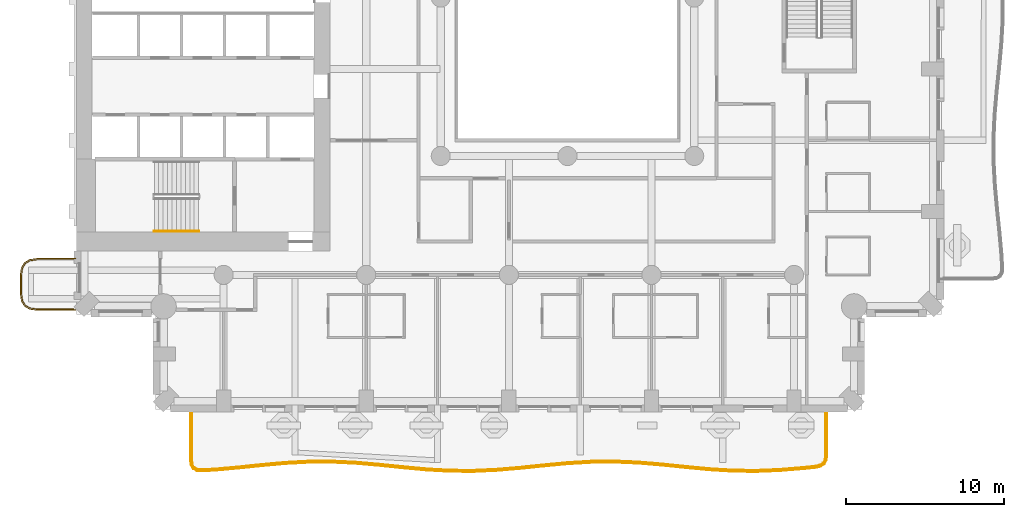
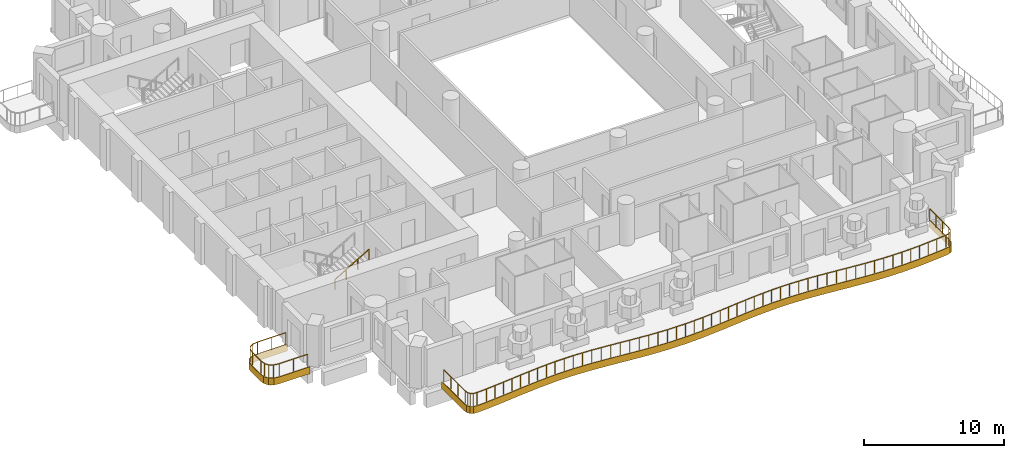
# One storey, part 13 of 20: 3 railings, 2 coverings.
"""IFC4 building model written with IfcOpenShell, lengths in metres."""

from ifc_helpers import new_model, si_unit, direction, frame, origin, origin_2d, place, context, subcontext, project, spatial, polyline, rectangle, outline, extrude, material, layer, layer_set, type_object, element, save


model = new_model("IFC4")

# Units and contexts
model_context = context("Model", 3, precision=1e-05, world=origin(), true_north=direction((0.0, 1.0)))
body_context = subcontext(model_context, "Body", "Model", "MODEL_VIEW")
ifc_project = project(units=[si_unit("LENGTHUNIT", "METRE"), si_unit("AREAUNIT", "SQUARE_METRE"), si_unit("VOLUMEUNIT", "CUBIC_METRE"), si_unit("PLANEANGLEUNIT", "RADIAN"), si_unit("MASSUNIT", "GRAM", prefix="KILO")], contexts=[model_context])

# Site, building, storey
site_placement = place(None, origin())
site = spatial("IfcSite", under=ifc_project, at=site_placement, CompositionType="ELEMENT")
building_placement = place(site_placement, origin())
building = spatial("IfcBuilding", under=site, at=building_placement, Name="Cypress Arch Tower", CompositionType="ELEMENT")
storey_placement = place(building_placement, frame((0.0, 0.0, 55.5)))
storey = spatial("IfcBuildingStorey", under=building, at=storey_placement, Name="L07", CompositionType="ELEMENT", Elevation=55.5)

# Coverings
ifc_material_1 = material(Name="White powder-coated aluminium fascia", Category="aluminium")
ifc_layer = layer(ifc_material_1, 0.050048828125)
ifc_layer_set = layer_set([ifc_layer], Name="Balcony fascia BF50")
covering_type = type_object("IfcCoveringType", Name="Balcony fascia BF50", PredefinedType="CLADDING", material=ifc_layer_set)
covering_1_placement = place(storey_placement, frame((0.0, 0.0, -0.60009765625)))
element("IfcCovering", 1, at=covering_1_placement, inside=storey, type_object=covering_type, Name="Balcony fascia L07-A00W1", PredefinedType="CLADDING", context=body_context, shape_type="SweptSolid", body=[
    extrude(outline(polyline([(-32.503662109375, -19.75), (-32.95458984375, -19.685546875), (-33.286376953125, -19.486328125), (-33.485595703125, -19.154541015625), (-33.550048828125, -18.70361328125), (-33.550048828125, -17.496337890625), (-33.485595703125, -17.04541015625), (-33.286376953125, -16.713623046875), (-32.95458984375, -16.514404296875), (-32.503662109375, -16.449951171875), (-30.0009765625, -16.449951171875), (-30.0009765625, -16.5), (-32.5, -16.5), (-32.9375, -16.5625), (-33.25, -16.75), (-33.4375, -17.0625), (-33.5, -17.5), (-33.5, -18.699951171875), (-33.4375, -19.137451171875), (-33.25, -19.449951171875), (-32.9375, -19.637451171875), (-32.5, -19.699951171875), (-30.0009765625, -19.699951171875), (-30.0009765625, -19.75), (-32.503662109375, -19.75)])), origin(), (0.0, 0.0, 1.0), 0.60009765625),
])
covering_2_placement = place(storey_placement, frame((0.0, 0.0, -0.60009765625)))
element("IfcCovering", 2, at=covering_2_placement, inside=storey, type_object=covering_type, Name="Balcony fascia L07-A03", PredefinedType="CLADDING", context=body_context, shape_type="SweptSolid", body=[
    extrude(outline(polyline([(17.39990234375, -28.89501953125), (17.3564453125, -29.2060546875), (17.220947265625, -29.447021484375), (16.9951171875, -29.606201171875), (16.690185546875, -29.681396484375), (15.869384765625, -29.765625), (14.382568359375, -29.8876953125), (12.89501953125, -29.947265625), (11.407470703125, -29.928466796875), (9.920166015625, -29.83642578125), (8.43408203125, -29.695556640625), (6.948974609375, -29.542724609375), (5.46533203125, -29.41796875), (3.982421875, -29.354248046875), (2.499755859375, -29.3681640625), (1.016845703125, -29.4560546875), (-0.46728515625, -29.5947265625), (-1.95263671875, -29.748291015625), (-3.439208984375, -29.875732421875), (-4.9267578125, -29.944091796875), (-6.41455078125, -29.934814453125), (-7.90185546875, -29.850830078125), (-9.38818359375, -29.7138671875), (-10.873291015625, -29.560302734375), (-12.357177734375, -29.43017578125), (-13.840087890625, -29.35791015625), (-15.32275390625, -29.3623046875), (-16.8056640625, -29.442138671875), (-18.28955078125, -29.57666015625), (-19.77490234375, -29.73046875), (-21.26123046875, -29.863037109375), (-22.082763671875, -29.905517578125), (-22.388916015625, -29.87744140625), (-22.618408203125, -29.75146484375), (-22.75634765625, -29.528564453125), (-22.800048828125, -29.22412109375), (-22.800048828125, -26.0009765625), (-22.75, -26.0009765625), (-22.75, -29.220458984375), (-22.708251953125, -29.51123046875), (-22.5830078125, -29.7138671875), (-22.3740234375, -29.82861328125), (-22.081787109375, -29.855224609375), (-21.264892578125, -29.813232421875), (-19.779541015625, -29.6806640625), (-18.29443359375, -29.52685546875), (-16.809326171875, -29.392333984375), (-15.323974609375, -29.312255859375), (-13.8388671875, -29.307861328125), (-12.353759765625, -29.38037109375), (-10.868408203125, -29.510498046875), (-9.38330078125, -29.6640625), (-7.898193359375, -29.80078125), (-6.412841796875, -29.885009765625), (-4.927734375, -29.89404296875), (-3.442626953125, -29.825927734375), (-1.95751953125, -29.698486328125), (-0.47216796875, -29.544921875), (1.012939453125, -29.406005859375), (2.498046875, -29.318115234375), (3.9833984375, -29.30419921875), (5.468505859375, -29.3681640625), (6.95361328125, -29.492919921875), (8.43896484375, -29.645751953125), (9.924072265625, -29.78662109375), (11.4091796875, -29.87841796875), (12.89453125, -29.897216796875), (14.379638671875, -29.837646484375), (15.86474609375, -29.7158203125), (16.681640625, -29.632080078125), (16.97412109375, -29.56005859375), (17.182861328125, -29.41259765625), (17.308349609375, -29.189697265625), (17.35009765625, -28.8916015625), (17.35009765625, -26.0009765625), (17.39990234375, -26.0009765625), (17.39990234375, -28.89501953125)])), origin(), (0.0, 0.0, 1.0), 0.60009765625),
])

# Railings
ifc_material_2 = material(Name="Powder-coated steel posts and rods, 100 mm clear between rods", Category="steel")
railing_type_1 = type_object("IfcRailingType", Name="Balcony guard GR1100", PredefinedType="GUARDRAIL", material=ifc_material_2)
railing_1_placement = place(storey_placement, frame((-30.14990234375, -19.64990234375, 0.0)))
element("IfcRailing", 3, at=railing_1_placement, inside=storey, type_object=railing_type_1, Name="Balcony guard L07-A00W1", PredefinedType="GUARDRAIL", context=body_context, shape_type="SweptSolid", body=[
    extrude(rectangle(XDim=0.050048828125, YDim=0.050048828125, at=origin_2d()), frame((0.0, 0.0, 1.0751953125), z_axis=(-1.0, 0.0, 0.0), x_axis=(0.0, -1.0, 0.0)), (0.0, 0.0, 1.0), 2.346435546875),
    extrude(rectangle(XDim=0.050048828125, YDim=0.050048828125, at=origin_2d()), frame((-2.346435546875, 0.0, 1.0751953125), z_axis=(-0.989960888959, 0.141341566184, 0.0), x_axis=(-0.141341566184, -0.989960888959, 0.0)), (0.0, 0.0, 1.0), 0.428466796875),
    extrude(rectangle(XDim=0.050048828125, YDim=0.050048828125, at=origin_2d()), frame((-2.7705078125, 0.060546875, 1.0751953125), z_axis=(-0.857681904839, 0.514180659021, 0.0), x_axis=(-0.514180659021, -0.857681904839, 0.0)), (0.0, 0.0, 1.0), 0.341796875),
    extrude(rectangle(XDim=0.050048828125, YDim=0.050048828125, at=origin_2d()), frame((-3.063720703125, 0.236328125, 1.0751953125), z_axis=(-0.514180659021, 0.857681904839, 0.0), x_axis=(-0.857681904839, -0.514180659021, 0.0)), (0.0, 0.0, 1.0), 0.341796875),
    extrude(rectangle(XDim=0.050048828125, YDim=0.050048828125, at=origin_2d()), frame((-3.239501953125, 0.529541015625, 1.0751953125), z_axis=(-0.141421356237, 0.989949493661, 0.0), x_axis=(-0.989949493661, -0.141421356237, 0.0)), (0.0, 0.0, 1.0), 0.42822265625),
    extrude(rectangle(XDim=0.050048828125, YDim=0.050048828125, at=origin_2d()), frame((-3.300048828125, 0.953369140625, 1.0751953125), z_axis=(0.0, 1.0, 0.0), x_axis=(-1.0, 0.0, 0.0)), (0.0, 0.0, 1.0), 1.19287109375),
    extrude(rectangle(XDim=0.050048828125, YDim=0.050048828125, at=origin_2d()), frame((-3.300048828125, 2.146240234375, 1.0751953125), z_axis=(0.141341566184, 0.989960888959, 0.0), x_axis=(-0.989960888959, 0.141341566184, 0.0)), (0.0, 0.0, 1.0), 0.428466796875),
    extrude(rectangle(XDim=0.050048828125, YDim=0.050048828125, at=origin_2d()), frame((-3.239501953125, 2.5703125, 1.0751953125), z_axis=(0.514180659021, 0.857681904839, 0.0), x_axis=(-0.857681904839, 0.514180659021, 0.0)), (0.0, 0.0, 1.0), 0.341796875),
    extrude(rectangle(XDim=0.050048828125, YDim=0.050048828125, at=origin_2d()), frame((-3.063720703125, 2.863525390625, 1.0751953125), z_axis=(0.857681904839, 0.514180659021, 0.0), x_axis=(-0.514180659021, 0.857681904839, 0.0)), (0.0, 0.0, 1.0), 0.341796875),
    extrude(rectangle(XDim=0.050048828125, YDim=0.050048828125, at=origin_2d()), frame((-2.7705078125, 3.039306640625, 1.0751953125), z_axis=(0.989960888959, 0.141341566184, 0.0), x_axis=(-0.141341566184, 0.989960888959, 0.0)), (0.0, 0.0, 1.0), 0.428466796875),
    extrude(rectangle(XDim=0.050048828125, YDim=0.050048828125, at=origin_2d()), frame((-2.346435546875, 3.099853515625, 1.0751953125), z_axis=(1.0, 0.0, 0.0), x_axis=(0.0, 1.0, 0.0)), (0.0, 0.0, 1.0), 2.346435546875),
    extrude(rectangle(XDim=0.0400390625, YDim=0.0400390625, at=origin_2d()), origin(), (0.0, 0.0, 1.0), 1.050048828125),
    extrude(rectangle(XDim=0.0400390625, YDim=0.0400390625, at=origin_2d()), frame((-1.17333984375, 0.0, 0.0)), (0.0, 0.0, 1.0), 1.050048828125),
    extrude(rectangle(XDim=0.0400390625, YDim=0.0400390625, at=origin_2d()), frame((-2.346435546875, 0.0, 0.0)), (0.0, 0.0, 1.0), 1.050048828125),
    extrude(rectangle(XDim=0.0400390625, YDim=0.0400390625, at=origin_2d()), frame((-2.7705078125, 0.060546875, 0.0)), (0.0, 0.0, 1.0), 1.050048828125),
    extrude(rectangle(XDim=0.0400390625, YDim=0.0400390625, at=origin_2d()), frame((-3.063720703125, 0.236328125, 0.0)), (0.0, 0.0, 1.0), 1.050048828125),
    extrude(rectangle(XDim=0.0400390625, YDim=0.0400390625, at=origin_2d()), frame((-3.239501953125, 0.529541015625, 0.0)), (0.0, 0.0, 1.0), 1.050048828125),
    extrude(rectangle(XDim=0.0400390625, YDim=0.0400390625, at=origin_2d()), frame((-3.300048828125, 0.953369140625, 0.0)), (0.0, 0.0, 1.0), 1.050048828125),
    extrude(rectangle(XDim=0.0400390625, YDim=0.0400390625, at=origin_2d()), frame((-3.300048828125, 2.146240234375, 0.0)), (0.0, 0.0, 1.0), 1.050048828125),
    extrude(rectangle(XDim=0.0400390625, YDim=0.0400390625, at=origin_2d()), frame((-3.239501953125, 2.5703125, 0.0)), (0.0, 0.0, 1.0), 1.050048828125),
    extrude(rectangle(XDim=0.0400390625, YDim=0.0400390625, at=origin_2d()), frame((-3.063720703125, 2.863525390625, 0.0)), (0.0, 0.0, 1.0), 1.050048828125),
    extrude(rectangle(XDim=0.0400390625, YDim=0.0400390625, at=origin_2d()), frame((-2.7705078125, 3.039306640625, 0.0)), (0.0, 0.0, 1.0), 1.050048828125),
    extrude(rectangle(XDim=0.0400390625, YDim=0.0400390625, at=origin_2d()), frame((-2.346435546875, 3.099853515625, 0.0)), (0.0, 0.0, 1.0), 1.050048828125),
    extrude(rectangle(XDim=0.0400390625, YDim=0.0400390625, at=origin_2d()), frame((-1.17333984375, 3.099853515625, 0.0)), (0.0, 0.0, 1.0), 1.050048828125),
    extrude(rectangle(XDim=0.0400390625, YDim=0.0400390625, at=origin_2d()), frame((0.0, 3.099853515625, 0.0)), (0.0, 0.0, 1.0), 1.050048828125),
])
railing_2_placement = place(storey_placement, frame((17.300048828125, -26.14990234375, 0.0)))
element("IfcRailing", 4, at=railing_2_placement, inside=storey, type_object=railing_type_1, Name="Balcony guard L07-A03", PredefinedType="GUARDRAIL", context=body_context, shape_type="SweptSolid", body=[
    extrude(rectangle(XDim=0.050048828125, YDim=0.050048828125, at=origin_2d()), frame((0.0, 0.0, 1.0751953125), z_axis=(0.0, -1.0, 0.0), x_axis=(1.0, 0.0, 0.0)), (0.0, 0.0, 1.0), 2.73828125),
    extrude(rectangle(XDim=0.050048828125, YDim=0.050048828125, at=origin_2d()), frame((0.0, -2.73828125, 1.0751953125), z_axis=(-0.13893032839, -0.990302157856, 0.0), x_axis=(0.990302157856, -0.13893032839, 0.0)), (0.0, 0.0, 1.0), 0.2880859375),
    extrude(rectangle(XDim=0.050048828125, YDim=0.050048828125, at=origin_2d()), frame((-0.0400390625, -3.023681640625, 1.0751953125), z_axis=(-0.490754803611, -0.87129772336, 0.0), x_axis=(0.87129772336, -0.490754803611, 0.0)), (0.0, 0.0, 1.0), 0.23486328125),
    extrude(rectangle(XDim=0.050048828125, YDim=0.050048828125, at=origin_2d()), frame((-0.1552734375, -3.228271484375, 1.0751953125), z_axis=(-0.816881446664, -0.576805601652, 0.0), x_axis=(0.576805601652, -0.816881446664, 0.0)), (0.0, 0.0, 1.0), 0.23486328125),
    extrude(rectangle(XDim=0.050048828125, YDim=0.050048828125, at=origin_2d()), frame((-0.34716796875, -3.36376953125, 1.0751953125), z_axis=(-0.97103302902, -0.238945300335, 0.0), x_axis=(0.238945300335, -0.97103302902, 0.0)), (0.0, 0.0, 1.0), 0.2880859375),
    extrude(rectangle(XDim=0.050048828125, YDim=0.050048828125, at=origin_2d()), frame((-0.626953125, -3.4326171875, 1.0751953125), z_axis=(-0.994767435445, -0.102165304181, 0.0), x_axis=(0.102165304181, -0.994767435445, 0.0)), (0.0, 0.0, 1.0), 0.8173828125),
    extrude(rectangle(XDim=0.050048828125, YDim=0.050048828125, at=origin_2d()), frame((-1.43994140625, -3.51611328125, 1.0751953125), z_axis=(-0.99664568998, -0.081837452575, 0.0), x_axis=(0.081837452575, -0.99664568998, 0.0)), (0.0, 0.0, 1.0), 1.488525390625),
    extrude(rectangle(XDim=0.050048828125, YDim=0.050048828125, at=origin_2d()), frame((-2.923583984375, -3.637939453125, 1.0751953125), z_axis=(-0.999200432975, -0.039981179847, 0.0), x_axis=(0.039981179847, -0.999200432975, 0.0)), (0.0, 0.0, 1.0), 1.48388671875),
    extrude(rectangle(XDim=0.050048828125, YDim=0.050048828125, at=origin_2d()), frame((-4.40625, -3.697265625, 1.0751953125), z_axis=(-0.999921703992, 0.012513428207, 0.0), x_axis=(-0.012513428207, -0.999921703992, 0.0)), (0.0, 0.0, 1.0), 1.482666015625),
    extrude(rectangle(XDim=0.050048828125, YDim=0.050048828125, at=origin_2d()), frame((-5.888916015625, -3.6787109375, 1.0751953125), z_axis=(-0.998090113487, 0.061774795501, 0.0), x_axis=(-0.061774795501, -0.998090113487, 0.0)), (0.0, 0.0, 1.0), 1.486083984375),
    extrude(rectangle(XDim=0.050048828125, YDim=0.050048828125, at=origin_2d()), frame((-7.3720703125, -3.5869140625, 1.0751953125), z_axis=(-0.995525599033, 0.094492230736, 0.0), x_axis=(-0.094492230736, -0.995525599033, 0.0)), (0.0, 0.0, 1.0), 1.49072265625),
    extrude(rectangle(XDim=0.050048828125, YDim=0.050048828125, at=origin_2d()), frame((-8.856201171875, -3.446044921875, 1.0751953125), z_axis=(-0.994749908611, 0.102335816399, 0.0), x_axis=(-0.102335816399, -0.994749908611, 0.0)), (0.0, 0.0, 1.0), 1.493408203125),
    extrude(rectangle(XDim=0.050048828125, YDim=0.050048828125, at=origin_2d()), frame((-10.341796875, -3.293212890625, 1.0751953125), z_axis=(-0.996483404549, 0.083790360179, 0.0), x_axis=(-0.083790360179, -0.996483404549, 0.0)), (0.0, 0.0, 1.0), 1.49169921875),
    extrude(rectangle(XDim=0.050048828125, YDim=0.050048828125, at=origin_2d()), frame((-11.828369140625, -3.168212890625, 1.0751953125), z_axis=(-0.99907677304, 0.042960465212, 0.0), x_axis=(-0.042960465212, -0.99907677304, 0.0)), (0.0, 0.0, 1.0), 1.489013671875),
    extrude(rectangle(XDim=0.050048828125, YDim=0.050048828125, at=origin_2d()), frame((-13.31591796875, -3.104248046875, 1.0751953125), z_axis=(-0.99995625924, -0.009353053295, 0.0), x_axis=(0.009353053295, -0.99995625924, 0.0)), (0.0, 0.0, 1.0), 1.48779296875),
    extrude(rectangle(XDim=0.050048828125, YDim=0.050048828125, at=origin_2d()), frame((-14.8037109375, -3.1181640625, 1.0751953125), z_axis=(-0.998248279157, -0.059163951531, 0.0), x_axis=(0.059163951531, -0.998248279157, 0.0)), (0.0, 0.0, 1.0), 1.48974609375),
    extrude(rectangle(XDim=0.050048828125, YDim=0.050048828125, at=origin_2d()), frame((-16.290771484375, -3.206298828125, 1.0751953125), z_axis=(-0.995645617519, -0.093219119906, 0.0), x_axis=(0.093219119906, -0.995645617519, 0.0)), (0.0, 0.0, 1.0), 1.492919921875),
    extrude(rectangle(XDim=0.050048828125, YDim=0.050048828125, at=origin_2d()), frame((-17.777099609375, -3.345458984375, 1.0751953125), z_axis=(-0.994713126646, -0.102692724566, 0.0), x_axis=(0.102692724566, -0.994713126646, 0.0)), (0.0, 0.0, 1.0), 1.492919921875),
    extrude(rectangle(XDim=0.050048828125, YDim=0.050048828125, at=origin_2d()), frame((-19.26220703125, -3.498779296875, 1.0751953125), z_axis=(-0.996331087736, -0.085582495935, 0.0), x_axis=(0.085582495935, -0.996331087736, 0.0)), (0.0, 0.0, 1.0), 1.489013671875),
    extrude(rectangle(XDim=0.050048828125, YDim=0.050048828125, at=origin_2d()), frame((-20.745849609375, -3.626220703125, 1.0751953125), z_axis=(-0.99895424883, -0.04572098801, 0.0), x_axis=(0.04572098801, -0.99895424883, 0.0)), (0.0, 0.0, 1.0), 1.484375),
    extrude(rectangle(XDim=0.050048828125, YDim=0.050048828125, at=origin_2d()), frame((-22.228759765625, -3.694091796875, 1.0751953125), z_axis=(-0.99998144099, 0.006092427683, 0.0), x_axis=(-0.006092427683, -0.99998144099, 0.0)), (0.0, 0.0, 1.0), 1.482666015625),
    extrude(rectangle(XDim=0.050048828125, YDim=0.050048828125, at=origin_2d()), frame((-23.71142578125, -3.68505859375, 1.0751953125), z_axis=(-0.998400620779, 0.056534948732, 0.0), x_axis=(-0.056534948732, -0.998400620779, 0.0)), (0.0, 0.0, 1.0), 1.485595703125),
    extrude(rectangle(XDim=0.050048828125, YDim=0.050048828125, at=origin_2d()), frame((-25.194580078125, -3.60107421875, 1.0751953125), z_axis=(-0.995782351966, 0.091746975502, 0.0), x_axis=(-0.091746975502, -0.995782351966, 0.0)), (0.0, 0.0, 1.0), 1.490234375),
    extrude(rectangle(XDim=0.050048828125, YDim=0.050048828125, at=origin_2d()), frame((-26.678466796875, -3.46435546875, 1.0751953125), z_axis=(-0.994698139352, 0.102837792514, 0.0), x_axis=(-0.102837792514, -0.994698139352, 0.0)), (0.0, 0.0, 1.0), 1.4931640625),
    extrude(rectangle(XDim=0.050048828125, YDim=0.050048828125, at=origin_2d()), frame((-28.163818359375, -3.310791015625, 1.0751953125), z_axis=(-0.996176472709, 0.087363809563, 0.0), x_axis=(-0.087363809563, -0.996176472709, 0.0)), (0.0, 0.0, 1.0), 1.4921875),
    extrude(rectangle(XDim=0.050048828125, YDim=0.050048828125, at=origin_2d()), frame((-29.650390625, -3.180419921875, 1.0751953125), z_axis=(-0.998821673898, 0.048531059664, 0.0), x_axis=(-0.048531059664, -0.998821673898, 0.0)), (0.0, 0.0, 1.0), 1.489013671875),
    extrude(rectangle(XDim=0.050048828125, YDim=0.050048828125, at=origin_2d()), frame((-31.1376953125, -3.108154296875, 1.0751953125), z_axis=(-0.999995637783, -0.002953712091, 0.0), x_axis=(0.002953712091, -0.999995637783, 0.0)), (0.0, 0.0, 1.0), 1.48779296875),
    extrude(rectangle(XDim=0.050048828125, YDim=0.050048828125, at=origin_2d()), frame((-32.62548828125, -3.112548828125, 1.0751953125), z_axis=(-0.998553711496, -0.053763233318, 0.0), x_axis=(0.053763233318, -0.998553711496, 0.0)), (0.0, 0.0, 1.0), 1.489501953125),
    extrude(rectangle(XDim=0.050048828125, YDim=0.050048828125, at=origin_2d()), frame((-34.11279296875, -3.192626953125, 1.0751953125), z_axis=(-0.995930659743, -0.090122810563, 0.0), x_axis=(0.090122810563, -0.995930659743, 0.0)), (0.0, 0.0, 1.0), 1.49267578125),
    extrude(rectangle(XDim=0.050048828125, YDim=0.050048828125, at=origin_2d()), frame((-35.599365234375, -3.3271484375, 1.0751953125), z_axis=(-0.994679667362, -0.103016306171, 0.0), x_axis=(0.103016306171, -0.994679667362, 0.0)), (0.0, 0.0, 1.0), 1.4931640625),
    extrude(rectangle(XDim=0.050048828125, YDim=0.050048828125, at=origin_2d()), frame((-37.08447265625, -3.48095703125, 1.0751953125), z_axis=(-0.99603303809, -0.088984195407, 0.0), x_axis=(0.088984195407, -0.99603303809, 0.0)), (0.0, 0.0, 1.0), 1.48974609375),
    extrude(rectangle(XDim=0.050048828125, YDim=0.050048828125, at=origin_2d()), frame((-38.568359375, -3.613525390625, 1.0751953125), z_axis=(-0.998681751759, -0.051329900677, 0.0), x_axis=(0.051329900677, -0.998681751759, 0.0)), (0.0, 0.0, 1.0), 0.813232421875),
    extrude(rectangle(XDim=0.050048828125, YDim=0.050048828125, at=origin_2d()), frame((-39.380615234375, -3.6552734375, 1.0751953125), z_axis=(-0.99587171604, 0.090771830384, 0.0), x_axis=(-0.090771830384, -0.99587171604, 0.0)), (0.0, 0.0, 1.0), 0.27978515625),
    extrude(rectangle(XDim=0.050048828125, YDim=0.050048828125, at=origin_2d()), frame((-39.6591796875, -3.6298828125, 1.0751953125), z_axis=(-0.876239902748, 0.481875121615, 0.0), x_axis=(-0.481875121615, -0.876239902748, 0.0)), (0.0, 0.0, 1.0), 0.21484375),
    extrude(rectangle(XDim=0.050048828125, YDim=0.050048828125, at=origin_2d()), frame((-39.847412109375, -3.5263671875, 1.0751953125), z_axis=(-0.525492880722, 0.850797997359, 0.0), x_axis=(-0.850797997359, -0.525492880722, 0.0)), (0.0, 0.0, 1.0), 0.214599609375),
    extrude(rectangle(XDim=0.050048828125, YDim=0.050048828125, at=origin_2d()), frame((-39.960205078125, -3.34375, 1.0751953125), z_axis=(-0.142399739356, 0.989809231232, 0.0), x_axis=(-0.989809231232, -0.142399739356, 0.0)), (0.0, 0.0, 1.0), 0.279541015625),
    extrude(rectangle(XDim=0.050048828125, YDim=0.050048828125, at=origin_2d()), frame((-40.0, -3.067138671875, 1.0751953125), z_axis=(0.0, 1.0, 0.0), x_axis=(-1.0, 0.0, 0.0)), (0.0, 0.0, 1.0), 3.067138671875),
    extrude(rectangle(XDim=0.0400390625, YDim=0.0400390625, at=origin_2d()), origin(), (0.0, 0.0, 1.0), 1.050048828125),
    extrude(rectangle(XDim=0.0400390625, YDim=0.0400390625, at=origin_2d()), frame((0.0, -0.912841796875, 0.0)), (0.0, 0.0, 1.0), 1.050048828125),
    extrude(rectangle(XDim=0.0400390625, YDim=0.0400390625, at=origin_2d()), frame((0.0, -1.825439453125, 0.0)), (0.0, 0.0, 1.0), 1.050048828125),
    extrude(rectangle(XDim=0.0400390625, YDim=0.0400390625, at=origin_2d()), frame((0.0, -2.73828125, 0.0)), (0.0, 0.0, 1.0), 1.050048828125),
    extrude(rectangle(XDim=0.0400390625, YDim=0.0400390625, at=origin_2d()), frame((-0.0400390625, -3.023681640625, 0.0)), (0.0, 0.0, 1.0), 1.050048828125),
    extrude(rectangle(XDim=0.0400390625, YDim=0.0400390625, at=origin_2d()), frame((-0.1552734375, -3.228271484375, 0.0)), (0.0, 0.0, 1.0), 1.050048828125),
    extrude(rectangle(XDim=0.0400390625, YDim=0.0400390625, at=origin_2d()), frame((-0.34716796875, -3.36376953125, 0.0)), (0.0, 0.0, 1.0), 1.050048828125),
    extrude(rectangle(XDim=0.0400390625, YDim=0.0400390625, at=origin_2d()), frame((-0.626953125, -3.4326171875, 0.0)), (0.0, 0.0, 1.0), 1.050048828125),
    extrude(rectangle(XDim=0.0400390625, YDim=0.0400390625, at=origin_2d()), frame((-1.43994140625, -3.51611328125, 0.0)), (0.0, 0.0, 1.0), 1.050048828125),
    extrude(rectangle(XDim=0.0400390625, YDim=0.0400390625, at=origin_2d()), frame((-2.181640625, -3.5771484375, 0.0)), (0.0, 0.0, 1.0), 1.050048828125),
    extrude(rectangle(XDim=0.0400390625, YDim=0.0400390625, at=origin_2d()), frame((-2.923583984375, -3.637939453125, 0.0)), (0.0, 0.0, 1.0), 1.050048828125),
    extrude(rectangle(XDim=0.0400390625, YDim=0.0400390625, at=origin_2d()), frame((-3.6650390625, -3.66748046875, 0.0)), (0.0, 0.0, 1.0), 1.050048828125),
    extrude(rectangle(XDim=0.0400390625, YDim=0.0400390625, at=origin_2d()), frame((-4.40625, -3.697265625, 0.0)), (0.0, 0.0, 1.0), 1.050048828125),
    extrude(rectangle(XDim=0.0400390625, YDim=0.0400390625, at=origin_2d()), frame((-5.1474609375, -3.68798828125, 0.0)), (0.0, 0.0, 1.0), 1.050048828125),
    extrude(rectangle(XDim=0.0400390625, YDim=0.0400390625, at=origin_2d()), frame((-5.888916015625, -3.6787109375, 0.0)), (0.0, 0.0, 1.0), 1.050048828125),
    extrude(rectangle(XDim=0.0400390625, YDim=0.0400390625, at=origin_2d()), frame((-6.63037109375, -3.6328125, 0.0)), (0.0, 0.0, 1.0), 1.050048828125),
    extrude(rectangle(XDim=0.0400390625, YDim=0.0400390625, at=origin_2d()), frame((-7.3720703125, -3.5869140625, 0.0)), (0.0, 0.0, 1.0), 1.050048828125),
    extrude(rectangle(XDim=0.0400390625, YDim=0.0400390625, at=origin_2d()), frame((-8.1142578125, -3.5166015625, 0.0)), (0.0, 0.0, 1.0), 1.050048828125),
    extrude(rectangle(XDim=0.0400390625, YDim=0.0400390625, at=origin_2d()), frame((-8.856201171875, -3.446044921875, 0.0)), (0.0, 0.0, 1.0), 1.050048828125),
    extrude(rectangle(XDim=0.0400390625, YDim=0.0400390625, at=origin_2d()), frame((-9.59912109375, -3.36962890625, 0.0)), (0.0, 0.0, 1.0), 1.050048828125),
    extrude(rectangle(XDim=0.0400390625, YDim=0.0400390625, at=origin_2d()), frame((-10.341796875, -3.293212890625, 0.0)), (0.0, 0.0, 1.0), 1.050048828125),
    extrude(rectangle(XDim=0.0400390625, YDim=0.0400390625, at=origin_2d()), frame((-11.0849609375, -3.230712890625, 0.0)), (0.0, 0.0, 1.0), 1.050048828125),
    extrude(rectangle(XDim=0.0400390625, YDim=0.0400390625, at=origin_2d()), frame((-11.828369140625, -3.168212890625, 0.0)), (0.0, 0.0, 1.0), 1.050048828125),
    extrude(rectangle(XDim=0.0400390625, YDim=0.0400390625, at=origin_2d()), frame((-12.572265625, -3.13623046875, 0.0)), (0.0, 0.0, 1.0), 1.050048828125),
    extrude(rectangle(XDim=0.0400390625, YDim=0.0400390625, at=origin_2d()), frame((-13.31591796875, -3.104248046875, 0.0)), (0.0, 0.0, 1.0), 1.050048828125),
    extrude(rectangle(XDim=0.0400390625, YDim=0.0400390625, at=origin_2d()), frame((-14.059814453125, -3.111328125, 0.0)), (0.0, 0.0, 1.0), 1.050048828125),
    extrude(rectangle(XDim=0.0400390625, YDim=0.0400390625, at=origin_2d()), frame((-14.8037109375, -3.1181640625, 0.0)), (0.0, 0.0, 1.0), 1.050048828125),
    extrude(rectangle(XDim=0.0400390625, YDim=0.0400390625, at=origin_2d()), frame((-15.54736328125, -3.162109375, 0.0)), (0.0, 0.0, 1.0), 1.050048828125),
    extrude(rectangle(XDim=0.0400390625, YDim=0.0400390625, at=origin_2d()), frame((-16.290771484375, -3.206298828125, 0.0)), (0.0, 0.0, 1.0), 1.050048828125),
    extrude(rectangle(XDim=0.0400390625, YDim=0.0400390625, at=origin_2d()), frame((-17.033935546875, -3.27587890625, 0.0)), (0.0, 0.0, 1.0), 1.050048828125),
    extrude(rectangle(XDim=0.0400390625, YDim=0.0400390625, at=origin_2d()), frame((-17.777099609375, -3.345458984375, 0.0)), (0.0, 0.0, 1.0), 1.050048828125),
    extrude(rectangle(XDim=0.0400390625, YDim=0.0400390625, at=origin_2d()), frame((-18.51953125, -3.422119140625, 0.0)), (0.0, 0.0, 1.0), 1.050048828125),
    extrude(rectangle(XDim=0.0400390625, YDim=0.0400390625, at=origin_2d()), frame((-19.26220703125, -3.498779296875, 0.0)), (0.0, 0.0, 1.0), 1.050048828125),
    extrude(rectangle(XDim=0.0400390625, YDim=0.0400390625, at=origin_2d()), frame((-20.00390625, -3.5625, 0.0)), (0.0, 0.0, 1.0), 1.050048828125),
    extrude(rectangle(XDim=0.0400390625, YDim=0.0400390625, at=origin_2d()), frame((-20.745849609375, -3.626220703125, 0.0)), (0.0, 0.0, 1.0), 1.050048828125),
    extrude(rectangle(XDim=0.0400390625, YDim=0.0400390625, at=origin_2d()), frame((-21.4873046875, -3.66015625, 0.0)), (0.0, 0.0, 1.0), 1.050048828125),
    extrude(rectangle(XDim=0.0400390625, YDim=0.0400390625, at=origin_2d()), frame((-22.228759765625, -3.694091796875, 0.0)), (0.0, 0.0, 1.0), 1.050048828125),
    extrude(rectangle(XDim=0.0400390625, YDim=0.0400390625, at=origin_2d()), frame((-22.97021484375, -3.689453125, 0.0)), (0.0, 0.0, 1.0), 1.050048828125),
    extrude(rectangle(XDim=0.0400390625, YDim=0.0400390625, at=origin_2d()), frame((-23.71142578125, -3.68505859375, 0.0)), (0.0, 0.0, 1.0), 1.050048828125),
    extrude(rectangle(XDim=0.0400390625, YDim=0.0400390625, at=origin_2d()), frame((-24.453125, -3.64306640625, 0.0)), (0.0, 0.0, 1.0), 1.050048828125),
    extrude(rectangle(XDim=0.0400390625, YDim=0.0400390625, at=origin_2d()), frame((-25.194580078125, -3.60107421875, 0.0)), (0.0, 0.0, 1.0), 1.050048828125),
    extrude(rectangle(XDim=0.0400390625, YDim=0.0400390625, at=origin_2d()), frame((-25.9365234375, -3.53271484375, 0.0)), (0.0, 0.0, 1.0), 1.050048828125),
    extrude(rectangle(XDim=0.0400390625, YDim=0.0400390625, at=origin_2d()), frame((-26.678466796875, -3.46435546875, 0.0)), (0.0, 0.0, 1.0), 1.050048828125),
    extrude(rectangle(XDim=0.0400390625, YDim=0.0400390625, at=origin_2d()), frame((-27.421142578125, -3.3876953125, 0.0)), (0.0, 0.0, 1.0), 1.050048828125),
    extrude(rectangle(XDim=0.0400390625, YDim=0.0400390625, at=origin_2d()), frame((-28.163818359375, -3.310791015625, 0.0)), (0.0, 0.0, 1.0), 1.050048828125),
    extrude(rectangle(XDim=0.0400390625, YDim=0.0400390625, at=origin_2d()), frame((-28.9072265625, -3.24560546875, 0.0)), (0.0, 0.0, 1.0), 1.050048828125),
    extrude(rectangle(XDim=0.0400390625, YDim=0.0400390625, at=origin_2d()), frame((-29.650390625, -3.180419921875, 0.0)), (0.0, 0.0, 1.0), 1.050048828125),
    extrude(rectangle(XDim=0.0400390625, YDim=0.0400390625, at=origin_2d()), frame((-30.39404296875, -3.144287109375, 0.0)), (0.0, 0.0, 1.0), 1.050048828125),
    extrude(rectangle(XDim=0.0400390625, YDim=0.0400390625, at=origin_2d()), frame((-31.1376953125, -3.108154296875, 0.0)), (0.0, 0.0, 1.0), 1.050048828125),
    extrude(rectangle(XDim=0.0400390625, YDim=0.0400390625, at=origin_2d()), frame((-31.881591796875, -3.1103515625, 0.0)), (0.0, 0.0, 1.0), 1.050048828125),
    extrude(rectangle(XDim=0.0400390625, YDim=0.0400390625, at=origin_2d()), frame((-32.62548828125, -3.112548828125, 0.0)), (0.0, 0.0, 1.0), 1.050048828125),
    extrude(rectangle(XDim=0.0400390625, YDim=0.0400390625, at=origin_2d()), frame((-33.369140625, -3.152587890625, 0.0)), (0.0, 0.0, 1.0), 1.050048828125),
    extrude(rectangle(XDim=0.0400390625, YDim=0.0400390625, at=origin_2d()), frame((-34.11279296875, -3.192626953125, 0.0)), (0.0, 0.0, 1.0), 1.050048828125),
    extrude(rectangle(XDim=0.0400390625, YDim=0.0400390625, at=origin_2d()), frame((-34.85595703125, -3.259765625, 0.0)), (0.0, 0.0, 1.0), 1.050048828125),
    extrude(rectangle(XDim=0.0400390625, YDim=0.0400390625, at=origin_2d()), frame((-35.599365234375, -3.3271484375, 0.0)), (0.0, 0.0, 1.0), 1.050048828125),
    extrude(rectangle(XDim=0.0400390625, YDim=0.0400390625, at=origin_2d()), frame((-36.341796875, -3.404052734375, 0.0)), (0.0, 0.0, 1.0), 1.050048828125),
    extrude(rectangle(XDim=0.0400390625, YDim=0.0400390625, at=origin_2d()), frame((-37.08447265625, -3.48095703125, 0.0)), (0.0, 0.0, 1.0), 1.050048828125),
    extrude(rectangle(XDim=0.0400390625, YDim=0.0400390625, at=origin_2d()), frame((-37.826416015625, -3.54736328125, 0.0)), (0.0, 0.0, 1.0), 1.050048828125),
    extrude(rectangle(XDim=0.0400390625, YDim=0.0400390625, at=origin_2d()), frame((-38.568359375, -3.613525390625, 0.0)), (0.0, 0.0, 1.0), 1.050048828125),
    extrude(rectangle(XDim=0.0400390625, YDim=0.0400390625, at=origin_2d()), frame((-39.380615234375, -3.6552734375, 0.0)), (0.0, 0.0, 1.0), 1.050048828125),
    extrude(rectangle(XDim=0.0400390625, YDim=0.0400390625, at=origin_2d()), frame((-39.6591796875, -3.6298828125, 0.0)), (0.0, 0.0, 1.0), 1.050048828125),
    extrude(rectangle(XDim=0.0400390625, YDim=0.0400390625, at=origin_2d()), frame((-39.847412109375, -3.5263671875, 0.0)), (0.0, 0.0, 1.0), 1.050048828125),
    extrude(rectangle(XDim=0.0400390625, YDim=0.0400390625, at=origin_2d()), frame((-39.960205078125, -3.34375, 0.0)), (0.0, 0.0, 1.0), 1.050048828125),
    extrude(rectangle(XDim=0.0400390625, YDim=0.0400390625, at=origin_2d()), frame((-40.0, -3.067138671875, 0.0)), (0.0, 0.0, 1.0), 1.050048828125),
    extrude(rectangle(XDim=0.0400390625, YDim=0.0400390625, at=origin_2d()), frame((-40.0, -2.044677734375, 0.0)), (0.0, 0.0, 1.0), 1.050048828125),
    extrude(rectangle(XDim=0.0400390625, YDim=0.0400390625, at=origin_2d()), frame((-40.0, -1.0224609375, 0.0)), (0.0, 0.0, 1.0), 1.050048828125),
    extrude(rectangle(XDim=0.0400390625, YDim=0.0400390625, at=origin_2d()), frame((-40.0, 0.0, 0.0)), (0.0, 0.0, 1.0), 1.050048828125),
])
ifc_material_3 = material(Name="Black powder-coated steel square bar 48 mm", Category="steel")
railing_type_2 = type_object("IfcRailingType", Name="Stair handrail HR1", PredefinedType="HANDRAIL", material=ifc_material_3)
railing_3_placement = place(storey_placement, frame((-25.074951171875, -14.75, 1.963623046875)))
element("IfcRailing", 5, at=railing_3_placement, inside=storey, type_object=railing_type_2, Name="L07 A stair handrail 2", PredefinedType="HANDRAIL", context=body_context, shape_type="SweptSolid", body=[
    extrude(rectangle(XDim=0.048095703125, YDim=0.048095703125, at=origin_2d()), frame((0.0, 0.0, 0.8759765625), z_axis=(0.863360870873, 0.0, 0.504586966384), x_axis=(0.0, 1.0, 0.0)), (0.0, 0.0, 1.0), 3.2431640625),
    extrude(rectangle(XDim=0.0419921875, YDim=0.0419921875, at=origin_2d()), origin(), (0.0, 0.0, 1.0), 0.851806640625),
    extrude(rectangle(XDim=0.0419921875, YDim=0.0419921875, at=origin_2d()), frame((0.933349609375, 0.0, 0.54541015625)), (0.0, 0.0, 1.0), 0.851806640625),
    extrude(rectangle(XDim=0.0419921875, YDim=0.0419921875, at=origin_2d()), frame((1.86669921875, 0.0, 1.091064453125)), (0.0, 0.0, 1.0), 0.851806640625),
    extrude(rectangle(XDim=0.0419921875, YDim=0.0419921875, at=origin_2d()), frame((2.800048828125, 0.0, 1.636474609375)), (0.0, 0.0, 1.0), 0.851806640625),
])

save(model, "model.ifc")
